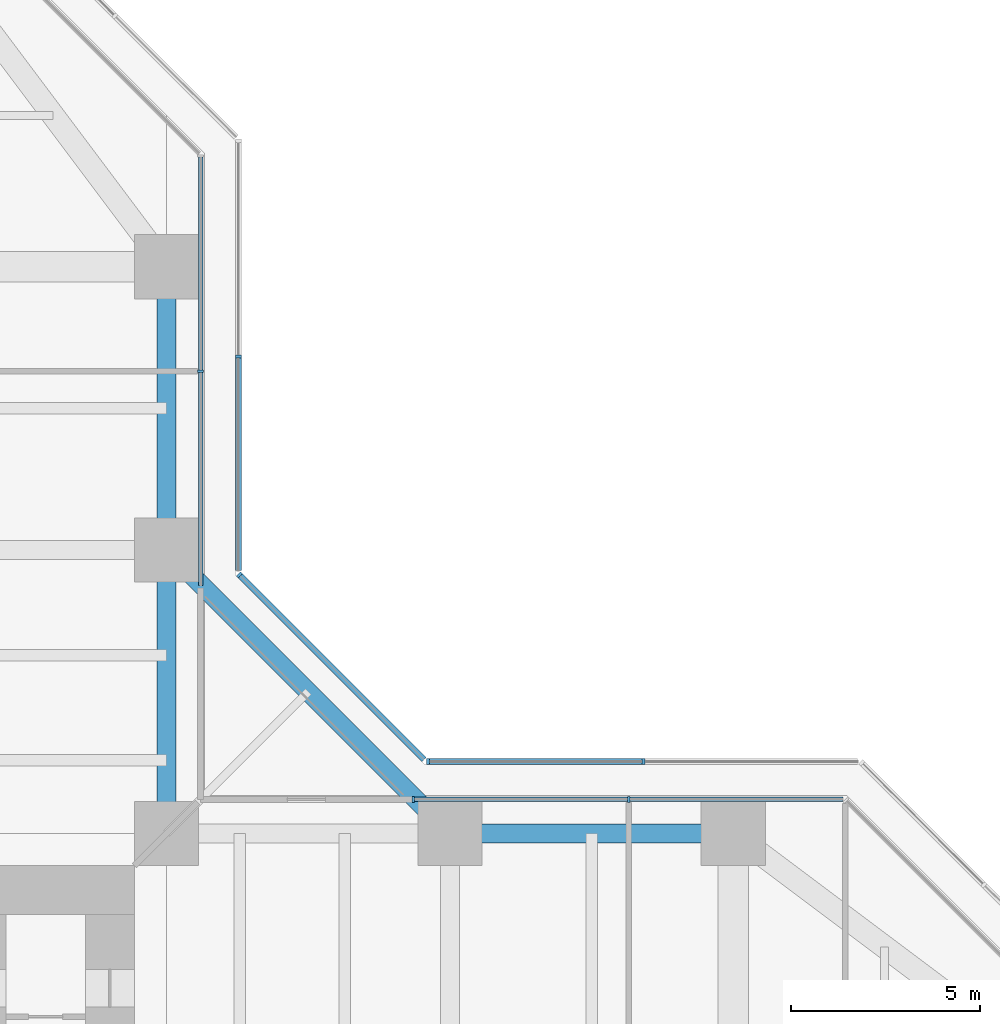
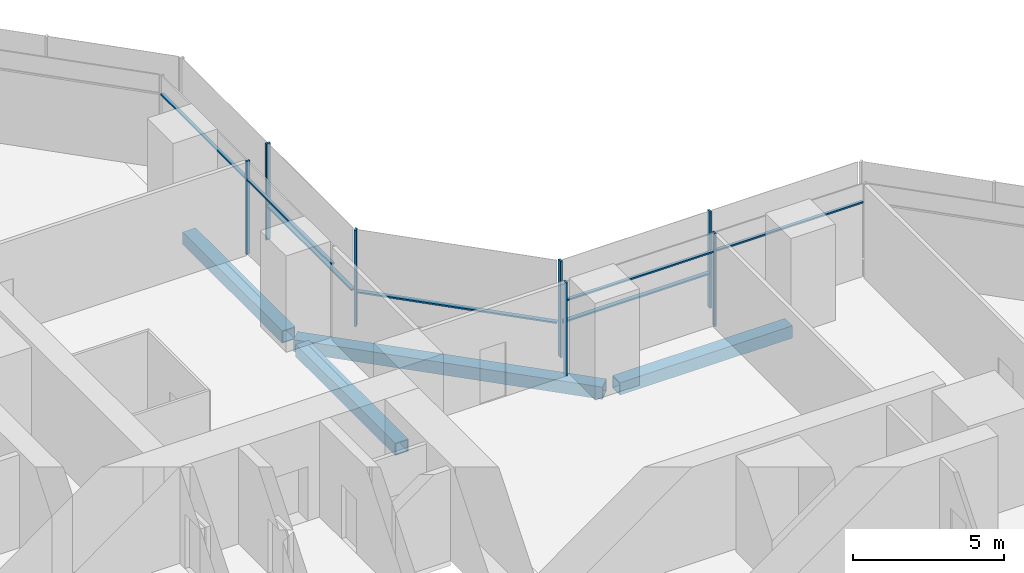
# One storey, part 11 of 22: 14 members, 4 beams, 5 elements without a shape of their own.
"""IFC4 building model written with IfcOpenShell, lengths in metres."""

import ifcopenshell
import ifcopenshell.guid

model = None  # the IFC model being written
_history = None  # IfcOwnerHistory: only IFC2X3 demands one
_inside = {}  # id of a spatial element -> (the spatial element, [elements in it])
_under = {}  # id of a project, library or spatial element -> (it, [spatial elements below it])
_declared = {}  # id of a project -> (the project, [libraries it declares])
_typed = {}  # id of a type object -> (the type object, [elements of that type])
_made_of = {}  # id of a material, layer set ... -> (it, [elements and type objects made of it])


def new_model(schema):
    """Start an empty IFC model of exactly this schema.

    Asked for "IFC4X3", IfcOpenShell would pick the latest addendum, in which some entities
    have other attributes; the version numbers below select the first issue.
    IFC2X3 requires an IfcOwnerHistory on every rooted entity: one is made here for all.
    """
    global model, _history
    if schema == "IFC4X3":
        model = ifcopenshell.file(schema_version=(4, 3, 0, 0))
    else:
        model = ifcopenshell.file(schema=schema)
    _inside.clear()
    _under.clear()
    _declared.clear()
    _typed.clear()
    _made_of.clear()
    _history = None
    if model.schema == "IFC2X3":
        org = make("IfcOrganization", Name="unknown")
        user = make(
            "IfcPersonAndOrganization",
            ThePerson=make("IfcPerson", FamilyName="unknown"),
            TheOrganization=org,
        )
        app = make(
            "IfcApplication",
            ApplicationDeveloper=org,
            Version="unknown",
            ApplicationFullName="unknown",
            ApplicationIdentifier="unknown",
        )
        _history = make(
            "IfcOwnerHistory",
            OwningUser=user,
            OwningApplication=app,
            ChangeAction="ADDED",
            CreationDate=0,
        )
    return model


def make(cls, **values):
    """One entity of the class cls with the attributes given. An attribute that is None is left unset."""
    return model.create_entity(
        cls, **{name: value for name, value in values.items() if value is not None}
    )


def rooted(cls, **values):
    """An entity with a GlobalId (a new one), such as an element, a storey or a relation."""
    return make(cls, GlobalId=ifcopenshell.guid.new(), OwnerHistory=_history, **values)


def si_unit(unit_type, name, prefix=None):
    """IfcSIUnit, for example si_unit("LENGTHUNIT", "METRE", prefix="MILLI")."""
    return make("IfcSIUnit", UnitType=unit_type, Prefix=prefix, Name=name)


def assignment(units):
    """IfcUnitAssignment: the units of a project."""
    return None if units is None else make("IfcUnitAssignment", Units=units)


def point(xyz):
    """IfcCartesianPoint."""
    return None if xyz is None else make("IfcCartesianPoint", Coordinates=xyz)


def direction(xyz):
    """IfcDirection."""
    return None if xyz is None else make("IfcDirection", DirectionRatios=xyz)


def frame(location, z_axis=None, x_axis=None):
    """IfcAxis2Placement3D, a coordinate frame: its origin and axes. An axis left out is left unset."""
    return make(
        "IfcAxis2Placement3D",
        Location=point(location),
        Axis=direction(z_axis),
        RefDirection=direction(x_axis),
    )


def frame_2d(location, x_axis=None):
    """IfcAxis2Placement2D, a coordinate frame in the plane: its origin and x axis."""
    return make(
        "IfcAxis2Placement2D", Location=point(location), RefDirection=direction(x_axis)
    )


def origin():
    """The frame at (0, 0, 0) with its axes left unset."""
    return frame((0.0, 0.0, 0.0))


def origin_2d():
    """The frame at (0, 0) in the plane with its x axis left unset."""
    return frame_2d((0.0, 0.0))


def place(relative_to, where):
    """IfcLocalPlacement: puts the frame where relative to a parent placement (None: the world)."""
    return make(
        "IfcLocalPlacement", PlacementRelTo=relative_to, RelativePlacement=where
    )


def context(
    kind, dimensions, precision=None, world=None, true_north=None, identifier=None
):
    """IfcGeometricRepresentationContext, for example the 3D "Model" context."""
    return make(
        "IfcGeometricRepresentationContext",
        ContextIdentifier=identifier,
        ContextType=kind,
        CoordinateSpaceDimension=dimensions,
        Precision=precision,
        WorldCoordinateSystem=world,
        TrueNorth=true_north,
    )


def subcontext(parent, identifier, kind, view, scale=None):
    """IfcGeometricRepresentationSubContext, for example "Body" below "Model"."""
    return make(
        "IfcGeometricRepresentationSubContext",
        ContextIdentifier=identifier,
        ContextType=kind,
        ParentContext=parent,
        TargetScale=scale,
        TargetView=view,
    )


def project(units=None, contexts=None):
    """IfcProject with its units and contexts."""
    return rooted(
        "IfcProject",
        Name="project",
        RepresentationContexts=contexts,
        UnitsInContext=assignment(units),
    )


def spatial(cls, under=None, at=None, **own):
    """A site, building, storey or space (cls), placed at a placement, below another one or the project."""
    s = rooted(cls, ObjectPlacement=at, **own)
    if under is not None:
        _under.setdefault(under.id(), (under, []))[1].append(s)
    return s


def profile(cls, at=None, kind="AREA", **sizes):
    """A parametric profile (cls). Its sizes go by their IFC names, for example OverallWidth=200.0."""
    return make(cls, ProfileType=kind, Position=at, **sizes)


def rectangle(**sizes):
    """IfcRectangleProfileDef."""
    return profile("IfcRectangleProfileDef", **sizes)


def hollow_rectangle(**sizes):
    """IfcRectangleHollowProfileDef."""
    return profile("IfcRectangleHollowProfileDef", **sizes)


def extrude(swept, where, along, depth):
    """IfcExtrudedAreaSolid: the profile swept, set in the frame where, extruded along a direction by depth."""
    return make(
        "IfcExtrudedAreaSolid",
        SweptArea=swept,
        Position=where,
        ExtrudedDirection=direction(along),
        Depth=depth,
    )


def shape(context_of_items, identifier, shape_type, items):
    """IfcShapeRepresentation: the items that make up one representation, for example the "Body"."""
    return make(
        "IfcShapeRepresentation",
        ContextOfItems=context_of_items,
        RepresentationIdentifier=identifier,
        RepresentationType=shape_type,
        Items=items,
    )


def material(Name=None, Category=None):
    """IfcMaterial."""
    return make("IfcMaterial", Name=Name, Category=Category)


def material_profile(
    of_material, cross_section, Name=None, Category=None, Priority=None
):
    """IfcMaterialProfile: a cross section and its material."""
    return make(
        "IfcMaterialProfile",
        Name=Name,
        Material=of_material,
        Profile=cross_section,
        Priority=Priority,
        Category=Category,
    )


def profile_set(profiles, Name=None, composite=None):
    """IfcMaterialProfileSet."""
    return make(
        "IfcMaterialProfileSet",
        Name=Name,
        MaterialProfiles=profiles,
        CompositeProfile=composite,
    )


def made_of(thing, what):
    """Note that an element or type object is made of a material, layer set ...; save() writes the relation."""
    if what is not None:
        _made_of.setdefault(what.id(), (what, []))[1].append(thing)
    return thing


def type_object(cls, material=None, **own):
    """A type object (cls), such as IfcWallType, which elements share."""
    return made_of(rooted(cls, **own), material)


def element(
    cls,
    number,
    at=None,
    inside=None,
    cuts=None,
    type_object=None,
    material=None,
    context=None,
    identifier="Body",
    shape_type=None,
    held_by="IfcProductDefinitionShape",
    body=None,
    shapes=None,
    **own,
):
    """One element of the class cls, such as IfcWall. Its Tag is "e" and its number.

    at: its placement. inside: the storey or other place that contains it. cuts: it is an
    opening in that element (IfcRelVoidsElement). A single representation is given by context,
    identifier, shape_type and body (its items); several are given by shapes. held_by: the class
    of the entity that holds the representations. save() writes the other relations.
    """
    e = rooted(cls, Tag="e%d" % number, ObjectPlacement=at, **own)
    if body is not None:
        shapes = [shape(context, identifier, shape_type, body)]
    if shapes is not None:
        e.Representation = make(held_by, Representations=shapes)
    if inside is not None:
        _inside.setdefault(inside.id(), (inside, []))[1].append(e)
    if cuts is not None:
        rooted(
            "IfcRelVoidsElement", RelatingBuildingElement=cuts, RelatedOpeningElement=e
        )
    if type_object is not None:
        _typed.setdefault(type_object.id(), (type_object, []))[1].append(e)
    return made_of(e, material)


def aggregate(whole, parts):
    """IfcRelAggregates: a whole, such as a stair, and the parts it consists of."""
    return rooted("IfcRelAggregates", RelatingObject=whole, RelatedObjects=parts)


def save(model, path):
    """Write the relations noted so far, then the file.

    IfcRelAggregates (storeys below a building ...), IfcRelContainedInSpatialStructure (elements
    in a storey), IfcRelDefinesByType, IfcRelAssociatesMaterial and IfcRelDeclares: one each for
    every whole, place, type object, material and project.
    """
    for whole, parts in _under.values():
        aggregate(whole, parts)
    for where, things in _inside.values():
        rooted(
            "IfcRelContainedInSpatialStructure",
            RelatedElements=things,
            RelatingStructure=where,
        )
    for kind, things in _typed.values():
        rooted("IfcRelDefinesByType", RelatedObjects=things, RelatingType=kind)
    for what, things in _made_of.values():
        rooted("IfcRelAssociatesMaterial", RelatedObjects=things, RelatingMaterial=what)
    for by, libraries in _declared.values():
        rooted("IfcRelDeclares", RelatingContext=by, RelatedDefinitions=libraries)
    model.write(path)


model = new_model("IFC4")

# Units and contexts
model_context = context("Model", 3, precision=1e-05, world=origin(), true_north=direction((0.0, 1.0)))
body_context = subcontext(model_context, "Body", "Model", "MODEL_VIEW")
ifc_project = project(units=[si_unit("LENGTHUNIT", "METRE"), si_unit("AREAUNIT", "SQUARE_METRE"), si_unit("VOLUMEUNIT", "CUBIC_METRE"), si_unit("PLANEANGLEUNIT", "RADIAN"), si_unit("MASSUNIT", "GRAM", prefix="KILO")], contexts=[model_context])

# Site, building, storey
site_placement = place(None, origin())
site = spatial("IfcSite", under=ifc_project, at=site_placement, CompositionType="ELEMENT")
building_placement = place(site_placement, origin())
building = spatial("IfcBuilding", under=site, at=building_placement, Name="Mizan Broadcast Tower", CompositionType="ELEMENT")
storey_placement = place(building_placement, frame((0.0, 0.0, 74.699951171875)))
storey = spatial("IfcBuildingStorey", under=building, at=storey_placement, Name="L15", CompositionType="ELEMENT", Elevation=74.699951171875)

# Beams
ifc_material_1 = material(Name="Steel S355", Category="steel")
ifc_material_profile_1 = material_profile(ifc_material_1, hollow_rectangle(XDim=0.5, YDim=0.5, WallThickness=0.030029296875, at=origin_2d()), Name="BOX 500x500x30")
ifc_profile_set_1 = profile_set([ifc_material_profile_1], Name="Steel S355")
beam_type = type_object("IfcBeamType", Name="EDGE BEAM BOX 500x500x30", PredefinedType="SPANDREL", material=ifc_profile_set_1)
for number, where, z_axis, x_axis, name in (
    (1, (19.949951171875, 12.0, -0.3798828125), (1.0, 0.0, 0.0), (0.0, 1.0, 0.0), "Edge beam BOX 500x500x30 L15 east arm"),
    (2, (12.0, 12.449951171875, -0.3798828125), (0.0, 1.0, 0.0), (-1.0, 0.0, 0.0), "Edge beam BOX 500x500x30 L15 north arm"),
    (3, (12.0, 19.949951171875, -0.3798828125), (0.0, 1.0, 0.0), (-1.0, 0.0, 0.0), "Edge beam BOX 500x500x30 L15 north arm"),
):
    element("IfcBeam", number, at=place(storey_placement, frame(where, z_axis=z_axis, x_axis=x_axis)), inside=storey, type_object=beam_type, Name=name, PredefinedType="SPANDREL", context=body_context, shape_type="SweptSolid", body=[
        extrude(hollow_rectangle(XDim=0.5, YDim=0.5, WallThickness=0.030029296875, at=origin_2d()), origin(), (0.0, 0.0, 1.0), 6.60009765625),
    ])
beam_placement = place(storey_placement, frame((19.5, 12.0, -0.3798828125), z_axis=(-0.707106781187, 0.707106781187, 0.0), x_axis=(-0.707106781187, -0.707106781187, 0.0)))
element("IfcBeam", 4, at=beam_placement, inside=storey, type_object=beam_type, Name="Winter garden edge beam L15 E", PredefinedType="SPANDREL", context=body_context, shape_type="SweptSolid", body=[
    extrude(hollow_rectangle(XDim=0.5, YDim=0.5, WallThickness=0.030029296875, at=origin_2d()), origin(), (0.0, 0.0, 1.0), 10.606689453125),
])

# Curtain wall, members
ifc_material_2 = material(Name="Aluminium framed glazing", Category="aluminium")
curtain_wall_type_1 = type_object("IfcCurtainWallType", Name="INNER SKIN LOW ZONE", PredefinedType="USERDEFINED", material=ifc_material_2)
curtain_wall_1_placement = place(storey_placement, origin())
curtain_wall_1 = element("IfcCurtainWall", 5, at=curtain_wall_1_placement, inside=storey, type_object=curtain_wall_type_1, Name="Inner skin low zone L15 E side", ObjectType="INNER SKIN LOW ZONE", PredefinedType="USERDEFINED")
ifc_material_3 = material(Name="Aluminium, pale anodised", Category="aluminium")
ifc_material_profile_2 = material_profile(ifc_material_3, rectangle(XDim=0.159912109375, YDim=0.06005859375, at=origin_2d()), Name="MULLION 160x60")
ifc_profile_set_2 = profile_set([ifc_material_profile_2], Name="Aluminium, pale anodised")
member_type_1 = type_object("IfcMemberType", Name="INNER SKIN MULLION 60x160", PredefinedType="MULLION", material=ifc_profile_set_2)
member_1_placement = place(storey_placement, frame((24.229248046875, 12.89990234375, 0.0), z_axis=(0.0, 0.0, 1.0), x_axis=(0.0, -1.0, 0.0)))
member_1 = element("IfcMember", 6, at=member_1_placement, type_object=member_type_1, Name="Inner skin low zone L15 E side mullion 2", PredefinedType="MULLION", context=body_context, shape_type="SweptSolid", body=[
    extrude(rectangle(XDim=0.159912109375, YDim=0.06005859375, at=origin_2d()), origin(), (0.0, 0.0, 1.0), 3.77001953125),
])
member_2_placement = place(storey_placement, frame((18.530029296875, 12.89990234375, 0.0), z_axis=(0.0, 0.0, 1.0), x_axis=(0.0, -1.0, 0.0)))
member_2 = element("IfcMember", 7, at=member_2_placement, type_object=member_type_1, Name="Inner skin low zone L15 E side mullion 3", PredefinedType="MULLION", context=body_context, shape_type="SweptSolid", body=[
    extrude(rectangle(XDim=0.159912109375, YDim=0.06005859375, at=origin_2d()), origin(), (0.0, 0.0, 1.0), 3.77001953125),
])

# Curtain wall, member
curtain_wall_2_placement = place(storey_placement, origin())
curtain_wall_2 = element("IfcCurtainWall", 8, at=curtain_wall_2_placement, inside=storey, type_object=curtain_wall_type_1, Name="Inner skin low zone L15 N side", ObjectType="INNER SKIN LOW ZONE", PredefinedType="USERDEFINED")
member_3_placement = place(storey_placement, frame((12.89990234375, 24.229248046875, 0.0), z_axis=(0.0, 0.0, 1.0), x_axis=(-1.0, 0.0, 0.0)))
member_3 = element("IfcMember", 9, at=member_3_placement, type_object=member_type_1, Name="Inner skin low zone L15 N side mullion 2", PredefinedType="MULLION", context=body_context, shape_type="SweptSolid", body=[
    extrude(rectangle(XDim=0.159912109375, YDim=0.06005859375, at=origin_2d()), origin(), (0.0, 0.0, 1.0), 3.77001953125),
])

# Member
ifc_material_4 = material(Name="Aluminium, pale anodised", Category="aluminium")
ifc_material_profile_3 = material_profile(ifc_material_4, rectangle(XDim=0.1201171875, YDim=0.06005859375, at=origin_2d()), Name="TRANSOM 120x60")
ifc_profile_set_3 = profile_set([ifc_material_profile_3], Name="Aluminium, pale anodised")
member_type_2 = type_object("IfcMemberType", Name="INNER SKIN TRANSOM 60x120", PredefinedType="USERDEFINED", material=ifc_profile_set_3)
member_4_placement = place(storey_placement, frame((29.898681640625, 12.89990234375, 3.030029296875), z_axis=(-1.0, 0.0, 0.0), x_axis=(0.0, -1.0, 0.0)))
member_4 = element("IfcMember", 10, at=member_4_placement, type_object=member_type_2, Name="Inner skin low zone L15 E side transom 1.1", ObjectType="TRANSOM", PredefinedType="USERDEFINED", context=body_context, shape_type="SweptSolid", body=[
    extrude(rectangle(XDim=0.1201171875, YDim=0.06005859375, at=origin_2d()), origin(), (0.0, 0.0, 1.0), 5.639404296875),
])

member_5_placement = place(storey_placement, frame((24.19921875, 12.89990234375, 3.030029296875), z_axis=(-1.0, 0.0, 0.0), x_axis=(0.0, -1.0, 0.0)))
member_5 = element("IfcMember", 11, at=member_5_placement, type_object=member_type_2, Name="Inner skin low zone L15 E side transom 2.1", ObjectType="TRANSOM", PredefinedType="USERDEFINED", context=body_context, shape_type="SweptSolid", body=[
    extrude(rectangle(XDim=0.1201171875, YDim=0.06005859375, at=origin_2d()), origin(), (0.0, 0.0, 1.0), 5.63916015625),
])

aggregate(curtain_wall_1, [member_1, member_2, member_4, member_5])

member_6_placement = place(storey_placement, frame((12.89990234375, 18.56005859375, 3.030029296875), z_axis=(0.0, 1.0, 0.0), x_axis=(-1.0, 0.0, 0.0)))
member_6 = element("IfcMember", 12, at=member_6_placement, type_object=member_type_2, Name="Inner skin low zone L15 N side transom 1.1", ObjectType="TRANSOM", PredefinedType="USERDEFINED", context=body_context, shape_type="SweptSolid", body=[
    extrude(rectangle(XDim=0.1201171875, YDim=0.06005859375, at=origin_2d()), origin(), (0.0, 0.0, 1.0), 5.63916015625),
])

member_7_placement = place(storey_placement, frame((12.89990234375, 24.25927734375, 3.030029296875), z_axis=(0.0, 1.0, 0.0), x_axis=(-1.0, 0.0, 0.0)))
member_7 = element("IfcMember", 13, at=member_7_placement, type_object=member_type_2, Name="Inner skin low zone L15 N side transom 2.1", ObjectType="TRANSOM", PredefinedType="USERDEFINED", context=body_context, shape_type="SweptSolid", body=[
    extrude(rectangle(XDim=0.1201171875, YDim=0.06005859375, at=origin_2d()), origin(), (0.0, 0.0, 1.0), 5.639404296875),
])

aggregate(curtain_wall_2, [member_3, member_6, member_7])

# Curtain wall, members
ifc_material_5 = material(Name="Aluminium framed glazing", Category="aluminium")
curtain_wall_type_2 = type_object("IfcCurtainWallType", Name="OUTER SKIN", PredefinedType="USERDEFINED", material=ifc_material_5)
curtain_wall_3_placement = place(storey_placement, origin())
curtain_wall_3 = element("IfcCurtainWall", 14, at=curtain_wall_3_placement, inside=storey, type_object=curtain_wall_type_2, Name="Outer skin L15 E side", ObjectType="OUTER SKIN", PredefinedType="USERDEFINED")
ifc_material_6 = material(Name="Aluminium, pale anodised", Category="aluminium")
ifc_material_profile_4 = material_profile(ifc_material_6, rectangle(XDim=0.159912109375, YDim=0.080078125, at=origin_2d()), Name="MULLION 160x80")
ifc_profile_set_4 = profile_set([ifc_material_profile_4], Name="Aluminium, pale anodised")
member_type_3 = type_object("IfcMemberType", Name="OUTER SKIN MULLION 80x160", PredefinedType="MULLION", material=ifc_profile_set_4)
member_8_placement = place(storey_placement, frame((24.622802734375, 13.89990234375, 0.0), z_axis=(0.0, 0.0, 1.0), x_axis=(0.0, -1.0, 0.0)))
member_8 = element("IfcMember", 15, at=member_8_placement, type_object=member_type_3, Name="Outer skin L15 E side mullion 2", PredefinedType="MULLION", context=body_context, shape_type="SweptSolid", body=[
    extrude(rectangle(XDim=0.159912109375, YDim=0.080078125, at=origin_2d()), origin(), (0.0, 0.0, 1.0), 3.900146484375),
])
member_9_placement = place(storey_placement, frame((18.912841796875, 13.89990234375, 0.0), z_axis=(0.0, 0.0, 1.0), x_axis=(0.0, -1.0, 0.0)))
member_9 = element("IfcMember", 16, at=member_9_placement, type_object=member_type_3, Name="Outer skin L15 E side mullion 3", PredefinedType="MULLION", context=body_context, shape_type="SweptSolid", body=[
    extrude(rectangle(XDim=0.159912109375, YDim=0.080078125, at=origin_2d()), origin(), (0.0, 0.0, 1.0), 3.900146484375),
])

# Curtain wall, member
curtain_wall_4_placement = place(storey_placement, origin())
curtain_wall_4 = element("IfcCurtainWall", 17, at=curtain_wall_4_placement, inside=storey, type_object=curtain_wall_type_2, Name="Outer skin L15 E chamfer", ObjectType="OUTER SKIN", PredefinedType="USERDEFINED")
member_10_placement = place(storey_placement, frame((13.92822265625, 18.844482421875, 0.0), z_axis=(0.0, 0.0, 1.0), x_axis=(-0.707106781187, -0.707106781187, 0.0)))
member_10 = element("IfcMember", 18, at=member_10_placement, type_object=member_type_3, Name="Outer skin L15 E chamfer mullion 2", PredefinedType="MULLION", context=body_context, shape_type="SweptSolid", body=[
    extrude(rectangle(XDim=0.159912109375, YDim=0.080078125, at=origin_2d()), origin(), (0.0, 0.0, 1.0), 3.900146484375),
])

curtain_wall_5_placement = place(storey_placement, origin())
curtain_wall_5 = element("IfcCurtainWall", 19, at=curtain_wall_5_placement, inside=storey, type_object=curtain_wall_type_2, Name="Outer skin L15 N side", ObjectType="OUTER SKIN", PredefinedType="USERDEFINED")
member_11_placement = place(storey_placement, frame((13.89990234375, 24.622802734375, 0.0), z_axis=(0.0, 0.0, 1.0), x_axis=(-1.0, 0.0, 0.0)))
member_11 = element("IfcMember", 20, at=member_11_placement, type_object=member_type_3, Name="Outer skin L15 N side mullion 2", PredefinedType="MULLION", context=body_context, shape_type="SweptSolid", body=[
    extrude(rectangle(XDim=0.159912109375, YDim=0.080078125, at=origin_2d()), origin(), (0.0, 0.0, 1.0), 3.900146484375),
])

# Member
ifc_material_7 = material(Name="Aluminium, pale anodised", Category="aluminium")
ifc_material_profile_5 = material_profile(ifc_material_7, rectangle(XDim=0.159912109375, YDim=0.06005859375, at=origin_2d()), Name="TRANSOM 160x60")
ifc_profile_set_5 = profile_set([ifc_material_profile_5], Name="Aluminium, pale anodised")
member_type_4 = type_object("IfcMemberType", Name="OUTER SKIN TRANSOM 60x160", PredefinedType="USERDEFINED", material=ifc_profile_set_5)
member_12_placement = place(storey_placement, frame((24.582763671875, 13.89990234375, 1.400146484375), z_axis=(-1.0, 0.0, 0.0), x_axis=(0.0, -1.0, 0.0)))
member_12 = element("IfcMember", 21, at=member_12_placement, type_object=member_type_4, Name="Outer skin L15 E side transom 2.1", ObjectType="TRANSOM", PredefinedType="USERDEFINED", context=body_context, shape_type="SweptSolid", body=[
    extrude(rectangle(XDim=0.159912109375, YDim=0.06005859375, at=origin_2d()), origin(), (0.0, 0.0, 1.0), 5.6298828125),
])

aggregate(curtain_wall_3, [member_8, member_9, member_12])

member_13_placement = place(storey_placement, frame((18.816162109375, 13.95654296875, 1.400146484375), z_axis=(-0.707106781187, 0.707106781187, 0.0), x_axis=(-0.707106781187, -0.707106781187, 0.0)))
member_13 = element("IfcMember", 22, at=member_13_placement, type_object=member_type_4, Name="Outer skin L15 E chamfer transom 1.1", ObjectType="TRANSOM", PredefinedType="USERDEFINED", context=body_context, shape_type="SweptSolid", body=[
    extrude(rectangle(XDim=0.159912109375, YDim=0.06005859375, at=origin_2d()), origin(), (0.0, 0.0, 1.0), 6.87255859375),
])

aggregate(curtain_wall_4, [member_10, member_13])

member_14_placement = place(storey_placement, frame((13.89990234375, 18.952880859375, 1.400146484375), z_axis=(0.0, 1.0, 0.0), x_axis=(-1.0, 0.0, 0.0)))
member_14 = element("IfcMember", 23, at=member_14_placement, type_object=member_type_4, Name="Outer skin L15 N side transom 1.1", ObjectType="TRANSOM", PredefinedType="USERDEFINED", context=body_context, shape_type="SweptSolid", body=[
    extrude(rectangle(XDim=0.159912109375, YDim=0.06005859375, at=origin_2d()), origin(), (0.0, 0.0, 1.0), 5.6298828125),
])

aggregate(curtain_wall_5, [member_11, member_14])

save(model, "model.ifc")
